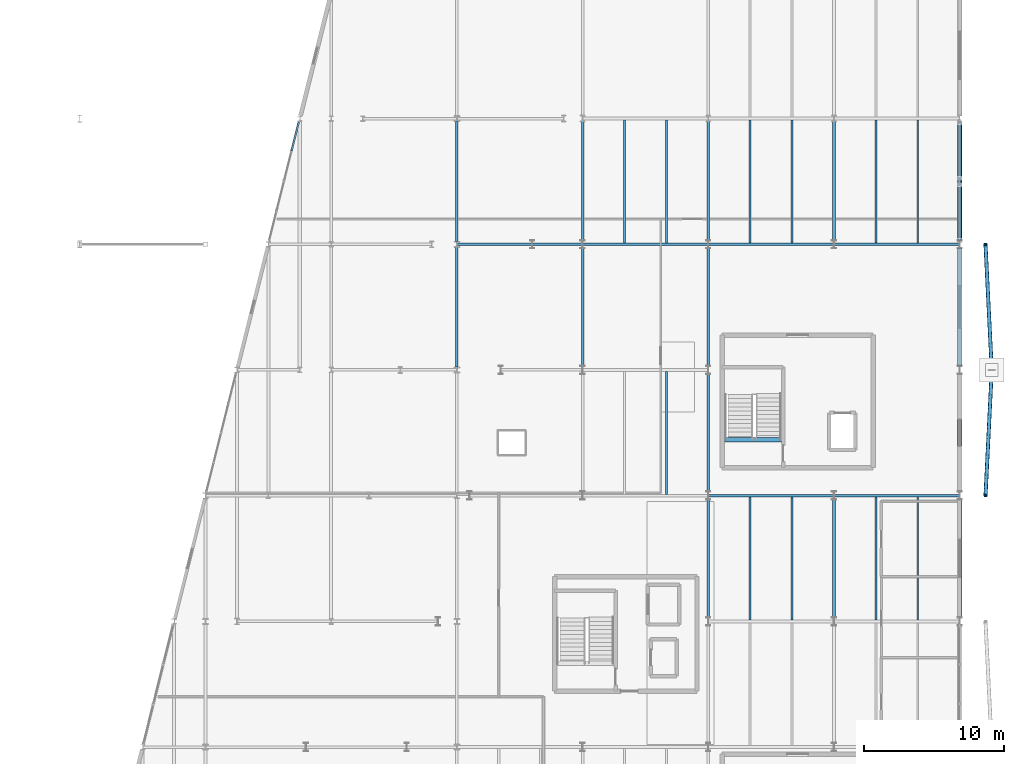
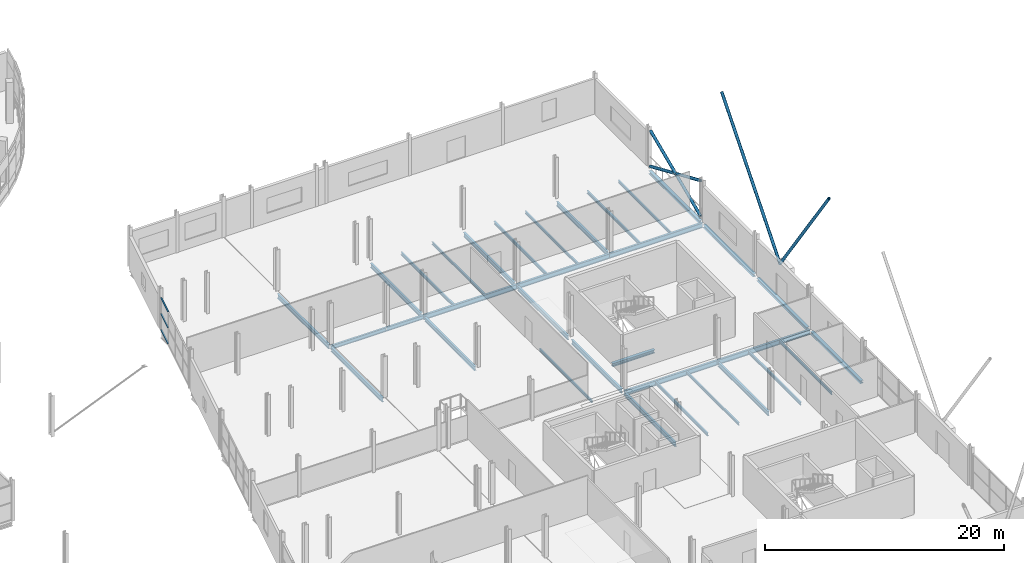
# One storey, part 98 of 140: 33 beams, 8 members, 1 element without a shape of its own.
"""IFC4 building model written with IfcOpenShell, lengths in metres."""

from ifc_helpers import new_model, si_unit, direction, frame, origin, origin_2d, place, context, subcontext, project, spatial, hollow_rectangle, hollow_circle, i_section, extrude, material, layer, layer_set, material_profile, profile_set, type_object, element, aggregate, save


model = new_model("IFC4")

# Units and contexts
model_context = context("Model", 3, precision=1e-05, world=origin(), true_north=direction((0.0, 1.0)))
body_context = subcontext(model_context, "Body", "Model", "MODEL_VIEW")
ifc_project = project(units=[si_unit("LENGTHUNIT", "METRE"), si_unit("AREAUNIT", "SQUARE_METRE"), si_unit("VOLUMEUNIT", "CUBIC_METRE"), si_unit("PLANEANGLEUNIT", "RADIAN"), si_unit("MASSUNIT", "GRAM", prefix="KILO")], contexts=[model_context])

# Site, building, storey
site_placement = place(None, origin())
site = spatial("IfcSite", under=ifc_project, at=site_placement, CompositionType="ELEMENT")
building_placement = place(site_placement, origin())
building = spatial("IfcBuilding", under=site, at=building_placement, Name="Deido Ridge Mobility Hub", CompositionType="ELEMENT")
storey_placement = place(building_placement, origin())
storey = spatial("IfcBuildingStorey", under=building, at=storey_placement, Name="L00", CompositionType="ELEMENT", Elevation=0.0)

# Beams
ifc_material_1 = material(Name="Steel S355J2 EN 10025-2", Category="steel")
ifc_material_profile_1 = material_profile(ifc_material_1, i_section(OverallWidth=0.300048828125, OverallDepth=0.330078125, WebThickness=0.009521484375, FlangeThickness=0.0166015625, FilletRadius=0.027099609375, at=origin_2d()), Name="HEA 340")
ifc_profile_set_1 = profile_set([ifc_material_profile_1], Name="Steel S355J2 EN 10025-2")
beam_type_1 = type_object("IfcBeamType", Name="BM-HEA340", PredefinedType="BEAM", material=ifc_profile_set_1)
beam_1_placement = place(storey_placement, frame((163.16259765625, 40.0, -0.425048828125), z_axis=(1.0, 0.0, 0.0), x_axis=(0.0, 1.0, 0.0)))
element("IfcBeam", 1, at=beam_1_placement, inside=storey, type_object=beam_type_1, Name="C2 stair landing trimmer beam B6", PredefinedType="BEAM", context=body_context, shape_type="SweptSolid", body=[
    extrude(i_section(OverallWidth=0.300048828125, OverallDepth=0.330078125, WebThickness=0.009521484375, FlangeThickness=0.0166015625, FilletRadius=0.027099609375, at=origin_2d()), origin(), (0.0, 0.0, 1.0), 4.072509765625),
])
ifc_material_profile_2 = material_profile(ifc_material_1, i_section(OverallWidth=0.179931640625, OverallDepth=0.39990234375, WebThickness=0.008544921875, FlangeThickness=0.013427734375, FilletRadius=0.02099609375, at=origin_2d()), Name="IPE 400")
ifc_profile_set_2 = profile_set([ifc_material_profile_2], Name="Steel S355J2 EN 10025-2")
beam_type_2 = type_object("IfcBeamType", Name="BM-IPE400", PredefinedType="BEAM", material=ifc_profile_set_2)
beam_2_placement = place(storey_placement, frame((144.0087890625, 54.0, -0.4599609375), z_axis=(1.0, 0.0, 0.0), x_axis=(0.0, 1.0, 0.0)))
element("IfcBeam", 2, at=beam_2_placement, inside=storey, type_object=beam_type_2, Name="Floor beam B5", PredefinedType="BEAM", context=body_context, shape_type="SweptSolid", body=[
    extrude(i_section(OverallWidth=0.179931640625, OverallDepth=0.39990234375, WebThickness=0.008544921875, FlangeThickness=0.013427734375, FilletRadius=0.02099609375, at=origin_2d()), origin(), (0.0, 0.0, 1.0), 5.383544921875),
])
beam_3_placement = place(storey_placement, frame((149.40771484375, 54.0, -0.4599609375), z_axis=(1.0, 0.0, 0.0), x_axis=(0.0, 1.0, 0.0)))
element("IfcBeam", 3, at=beam_3_placement, inside=storey, type_object=beam_type_2, Name="Floor beam B5", PredefinedType="BEAM", context=body_context, shape_type="SweptSolid", body=[
    extrude(i_section(OverallWidth=0.179931640625, OverallDepth=0.39990234375, WebThickness=0.008544921875, FlangeThickness=0.013427734375, FilletRadius=0.02099609375, at=origin_2d()), origin(), (0.0, 0.0, 1.0), 3.58447265625),
])
ifc_material_profile_3 = material_profile(ifc_material_1, i_section(OverallWidth=0.18994140625, OverallDepth=0.449951171875, WebThickness=0.009521484375, FlangeThickness=0.0146484375, FilletRadius=0.02099609375, at=origin_2d()), Name="IPE 450")
ifc_profile_set_3 = profile_set([ifc_material_profile_3], Name="Steel S355J2 EN 10025-2")
beam_type_3 = type_object("IfcBeamType", Name="BM-IPE450", PredefinedType="BEAM", material=ifc_profile_set_3)
for number, where, z_axis, x_axis, name in (
    (4, (144.0, 45.196533203125, -0.485107421875), (0.0, 1.0, 0.0), (-1.0, 0.0, 0.0), "Floor beam B4"),
    (5, (144.0, 54.196533203125, -0.485107421875), (0.0, 1.0, 0.0), (-1.0, 0.0, 0.0), "Floor beam B4"),
):
    element("IfcBeam", number, at=place(storey_placement, frame(where, z_axis=z_axis, x_axis=x_axis)), inside=storey, type_object=beam_type_3, Name=name, PredefinedType="BEAM", context=body_context, shape_type="SweptSolid", body=[
        extrude(i_section(OverallWidth=0.18994140625, OverallDepth=0.449951171875, WebThickness=0.009521484375, FlangeThickness=0.0146484375, FilletRadius=0.02099609375, at=origin_2d()), origin(), (0.0, 0.0, 1.0), 8.60693359375),
    ])
beam_4_placement = place(storey_placement, frame((153.0, 45.300048828125, -0.485107421875), z_axis=(0.0, 1.0, 0.0), x_axis=(-1.0, 0.0, 0.0)))
element("IfcBeam", 6, at=beam_4_placement, inside=storey, type_object=beam_type_3, Name="Floor beam B4", PredefinedType="BEAM", context=body_context, shape_type="SweptSolid", body=[
    extrude(i_section(OverallWidth=0.18994140625, OverallDepth=0.449951171875, WebThickness=0.009521484375, FlangeThickness=0.0146484375, FilletRadius=0.02099609375, at=origin_2d()), origin(), (0.0, 0.0, 1.0), 8.39990234375),
])
beam_5_placement = place(storey_placement, frame((153.0, 54.300048828125, -0.485107421875), z_axis=(0.0, 1.0, 0.0), x_axis=(-1.0, 0.0, 0.0)))
element("IfcBeam", 7, at=beam_5_placement, inside=storey, type_object=beam_type_3, Name="Floor beam B4", PredefinedType="BEAM", context=body_context, shape_type="SweptSolid", body=[
    extrude(i_section(OverallWidth=0.18994140625, OverallDepth=0.449951171875, WebThickness=0.009521484375, FlangeThickness=0.0146484375, FilletRadius=0.02099609375, at=origin_2d()), origin(), (0.0, 0.0, 1.0), 8.474853515625),
])
for number, where, z_axis, x_axis, name in (
    (8, (162.0, 27.300048828125, -0.485107421875), (0.0, 1.0, 0.0), (-1.0, 0.0, 0.0), "Floor beam B4"),
    (9, (162.0, 36.300048828125, -0.485107421875), (0.0, 1.0, 0.0), (-1.0, 0.0, 0.0), "Floor beam B4"),
    (10, (162.0, 45.300048828125, -0.485107421875), (0.0, 1.0, 0.0), (-1.0, 0.0, 0.0), "Floor beam B4"),
):
    element("IfcBeam", number, at=place(storey_placement, frame(where, z_axis=z_axis, x_axis=x_axis)), inside=storey, type_object=beam_type_3, Name=name, PredefinedType="BEAM", context=body_context, shape_type="SweptSolid", body=[
        extrude(i_section(OverallWidth=0.18994140625, OverallDepth=0.449951171875, WebThickness=0.009521484375, FlangeThickness=0.0146484375, FilletRadius=0.02099609375, at=origin_2d()), origin(), (0.0, 0.0, 1.0), 8.39990234375),
    ])
beam_6_placement = place(storey_placement, frame((162.0, 54.300048828125, -0.485107421875), z_axis=(0.0, 1.0, 0.0), x_axis=(-1.0, 0.0, 0.0)))
element("IfcBeam", 11, at=beam_6_placement, inside=storey, type_object=beam_type_3, Name="Floor beam B4", PredefinedType="BEAM", context=body_context, shape_type="SweptSolid", body=[
    extrude(i_section(OverallWidth=0.18994140625, OverallDepth=0.449951171875, WebThickness=0.009521484375, FlangeThickness=0.0146484375, FilletRadius=0.02099609375, at=origin_2d()), origin(), (0.0, 0.0, 1.0), 8.474853515625),
])
beam_7_placement = place(storey_placement, frame((171.0, 27.300048828125, -0.485107421875), z_axis=(0.0, 1.0, 0.0), x_axis=(-1.0, 0.0, 0.0)))
element("IfcBeam", 12, at=beam_7_placement, inside=storey, type_object=beam_type_3, Name="Floor beam B4", PredefinedType="BEAM", context=body_context, shape_type="SweptSolid", body=[
    extrude(i_section(OverallWidth=0.18994140625, OverallDepth=0.449951171875, WebThickness=0.009521484375, FlangeThickness=0.0146484375, FilletRadius=0.02099609375, at=origin_2d()), origin(), (0.0, 0.0, 1.0), 8.39990234375),
])
beam_8_placement = place(storey_placement, frame((171.0, 54.300048828125, -0.485107421875), z_axis=(0.0, 1.0, 0.0), x_axis=(-1.0, 0.0, 0.0)))
element("IfcBeam", 13, at=beam_8_placement, inside=storey, type_object=beam_type_3, Name="Floor beam B4", PredefinedType="BEAM", context=body_context, shape_type="SweptSolid", body=[
    extrude(i_section(OverallWidth=0.18994140625, OverallDepth=0.449951171875, WebThickness=0.009521484375, FlangeThickness=0.0146484375, FilletRadius=0.02099609375, at=origin_2d()), origin(), (0.0, 0.0, 1.0), 8.474853515625),
])
ifc_material_profile_4 = material_profile(ifc_material_1, i_section(OverallWidth=0.199951171875, OverallDepth=0.5, WebThickness=0.01025390625, FlangeThickness=0.01611328125, FilletRadius=0.02099609375, at=origin_2d()), Name="IPE 500")
ifc_profile_set_4 = profile_set([ifc_material_profile_4], Name="Steel S355J2 EN 10025-2")
beam_type_4 = type_object("IfcBeamType", Name="BM-IPE500", PredefinedType="BEAM", material=ifc_profile_set_4)
for number, where, z_axis, x_axis, name in (
    (14, (162.0078125, 36.0, -0.510009765625), (1.0, 0.0, 0.0), (0.0, 1.0, 0.0), "Floor beam B3"),
    (15, (171.0078125, 36.0, -0.510009765625), (1.0, 0.0, 0.0), (0.0, 1.0, 0.0), "Floor beam B3"),
    (16, (153.0078125, 54.0, -0.510009765625), (1.0, 0.0, 0.0), (0.0, 1.0, 0.0), "Floor beam B3"),
    (17, (162.0078125, 54.0, -0.510009765625), (1.0, 0.0, 0.0), (0.0, 1.0, 0.0), "Floor beam B3"),
    (18, (171.0078125, 54.0, -0.510009765625), (1.0, 0.0, 0.0), (0.0, 1.0, 0.0), "Floor beam B3"),
):
    element("IfcBeam", number, at=place(storey_placement, frame(where, z_axis=z_axis, x_axis=x_axis)), inside=storey, type_object=beam_type_4, Name=name, PredefinedType="BEAM", context=body_context, shape_type="SweptSolid", body=[
        extrude(i_section(OverallWidth=0.199951171875, OverallDepth=0.5, WebThickness=0.01025390625, FlangeThickness=0.01611328125, FilletRadius=0.02099609375, at=origin_2d()), origin(), (0.0, 0.0, 1.0), 8.984375),
    ])
ifc_material_profile_5 = material_profile(ifc_material_1, i_section(OverallWidth=0.135009765625, OverallDepth=0.27001953125, WebThickness=0.006591796875, FlangeThickness=0.01025390625, FilletRadius=0.014892578125, at=origin_2d()), Name="IPE 270")
ifc_profile_set_5 = profile_set([ifc_material_profile_5], Name="Steel S355J2 EN 10025-2")
beam_type_5 = type_object("IfcBeamType", Name="JST-IPE270", PredefinedType="JOIST", material=ifc_profile_set_5)
for number, where, z_axis, x_axis, name in (
    (19, (168.0, 27.10009765625, -0.39501953125), (0.0, 1.0, 0.0), (-1.0, 0.0, 0.0), "Composite joist J4"),
    (20, (177.0, 27.10009765625, -0.39501953125), (0.0, 1.0, 0.0), (-1.0, 0.0, 0.0), "Composite joist J4"),
    (21, (159.0, 36.10009765625, -0.39501953125), (0.0, 1.0, 0.0), (-1.0, 0.0, 0.0), "Composite joist J4"),
    (22, (159.0, 54.10009765625, -0.39501953125), (0.0, 1.0, 0.0), (-1.0, 0.0, 0.0), "Composite joist J4"),
    (23, (168.0, 54.10009765625, -0.39501953125), (0.0, 1.0, 0.0), (-1.0, 0.0, 0.0), "Composite joist J4"),
    (24, (177.0, 54.10009765625, -0.39501953125), (0.0, 1.0, 0.0), (-1.0, 0.0, 0.0), "Composite joist J4"),
):
    element("IfcBeam", number, at=place(storey_placement, frame(where, z_axis=z_axis, x_axis=x_axis)), inside=storey, type_object=beam_type_5, Name=name, PredefinedType="JOIST", context=body_context, shape_type="SweptSolid", body=[
        extrude(i_section(OverallWidth=0.135009765625, OverallDepth=0.27001953125, WebThickness=0.006591796875, FlangeThickness=0.01025390625, FilletRadius=0.014892578125, at=origin_2d()), origin(), (0.0, 0.0, 1.0), 8.7998046875),
    ])
ifc_material_profile_6 = material_profile(ifc_material_1, i_section(OverallWidth=0.14990234375, OverallDepth=0.300048828125, WebThickness=0.007080078125, FlangeThickness=0.0107421875, FilletRadius=0.014892578125, at=origin_2d()), Name="IPE 300")
ifc_profile_set_6 = profile_set([ifc_material_profile_6], Name="Steel S355J2 EN 10025-2")
beam_type_6 = type_object("IfcBeamType", Name="JST-IPE300", PredefinedType="JOIST", material=ifc_profile_set_6)
for number, where, z_axis, x_axis, name in (
    (25, (165.0, 27.10009765625, -0.409912109375), (0.0, 1.0, 0.0), (-1.0, 0.0, 0.0), "Composite joist J3"),
    (26, (174.0, 27.10009765625, -0.409912109375), (0.0, 1.0, 0.0), (-1.0, 0.0, 0.0), "Composite joist J3"),
    (27, (156.0, 54.10009765625, -0.409912109375), (0.0, 1.0, 0.0), (-1.0, 0.0, 0.0), "Composite joist J3"),
    (28, (165.0, 54.10009765625, -0.409912109375), (0.0, 1.0, 0.0), (-1.0, 0.0, 0.0), "Composite joist J3"),
    (29, (174.0, 54.10009765625, -0.409912109375), (0.0, 1.0, 0.0), (-1.0, 0.0, 0.0), "Composite joist J3"),
):
    element("IfcBeam", number, at=place(storey_placement, frame(where, z_axis=z_axis, x_axis=x_axis)), inside=storey, type_object=beam_type_6, Name=name, PredefinedType="JOIST", context=body_context, shape_type="SweptSolid", body=[
        extrude(i_section(OverallWidth=0.14990234375, OverallDepth=0.300048828125, WebThickness=0.007080078125, FlangeThickness=0.0107421875, FilletRadius=0.014892578125, at=origin_2d()), origin(), (0.0, 0.0, 1.0), 8.7998046875),
    ])

# Members
ifc_material_2 = material(Name="Steel S355J2H EN 10210-1", Category="steel")
ifc_material_profile_7 = material_profile(ifc_material_2, hollow_circle(Radius=0.136474609375, WallThickness=0.012451171875, at=origin_2d()), Name="CHS 273x12.5")
ifc_profile_set_7 = profile_set([ifc_material_profile_7], Name="Steel S355J2H EN 10210-1")
member_type_1 = type_object("IfcMemberType", Name="MEM-BRC-CHS273", PredefinedType="BRACE", material=ifc_profile_set_7)
member_1_placement = place(storey_placement, frame((180.0, 54.300048828125, 0.179931640625), z_axis=(0.0, 0.91754849034, 0.397623902545), x_axis=(-1.0, 0.0, 0.0)))
element("IfcMember", 30, at=member_1_placement, inside=storey, type_object=member_type_1, Name="Continuous X-brace diagonal BR1", PredefinedType="BRACE", context=body_context, shape_type="SweptSolid", body=[
    extrude(hollow_circle(Radius=0.136474609375, WallThickness=0.012451171875, at=origin_2d()), origin(), (0.0, 0.0, 1.0), 9.15478515625),
])
for number, where, z_axis, x_axis, name in (
    (31, (180.0, 62.699951171875, 0.179931640625), (0.0, -0.917550833654, 0.397618495119), (1.0, 0.0, 0.0), "Split X-brace diagonal segment BR1"),
    (32, (180.0, 58.27978515625, 2.095458984375), (0.0, -0.917550833654, 0.397618495119), (1.0, 0.0, 0.0), "Split X-brace diagonal segment BR1"),
):
    element("IfcMember", number, at=place(storey_placement, frame(where, z_axis=z_axis, x_axis=x_axis)), inside=storey, type_object=member_type_1, Name=name, PredefinedType="BRACE", context=body_context, shape_type="SweptSolid", body=[
        extrude(hollow_circle(Radius=0.136474609375, WallThickness=0.012451171875, at=origin_2d()), origin(), (0.0, 0.0, 1.0), 4.33740234375),
    ])
for number, where, z_axis, x_axis, name in (
    (33, (182.300048828125, 45.0, 0.1650390625), (-0.029533007988, -0.59072425745, 0.806332842627), (0.998752609117, -0.049932211876, 0.0), "Deconstructivist exoskeleton raked V-strut BR1"),
    (34, (182.300048828125, 45.0, 0.1650390625), (-0.029533007988, 0.59072425745, 0.806332842627), (-0.998752609117, -0.049932211876, 0.0), "Deconstructivist exoskeleton raked V-strut BR1"),
):
    element("IfcMember", number, at=place(storey_placement, frame(where, z_axis=z_axis, x_axis=x_axis)), inside=storey, type_object=member_type_1, Name=name, PredefinedType="BRACE", context=body_context, shape_type="SweptSolid", body=[
        extrude(hollow_circle(Radius=0.136474609375, WallThickness=0.012451171875, at=origin_2d()), origin(), (0.0, 0.0, 1.0), 15.235595703125),
    ])

# Curtain wall, members
ifc_material_3 = material(Name="Anodised aluminium EN AW-6063 T6", Category="aluminium")
ifc_layer = layer(ifc_material_3, 0.2099609375, Name="Anodised aluminium EN AW-6063 T6")
ifc_layer_set = layer_set([ifc_layer], Name="Anodised aluminium EN AW-6063 T6")
curtain_wall_type = type_object("IfcCurtainWallType", Name="CW-UF-4", PredefinedType="USERDEFINED", material=ifc_layer_set)
curtain_wall_placement = place(storey_placement, origin())
curtain_wall = element("IfcCurtainWall", 35, at=curtain_wall_placement, inside=storey, type_object=curtain_wall_type, Name="Unitised curtain wall CW4", ObjectType="UNITISED FACADE", PredefinedType="USERDEFINED")
ifc_material_profile_8 = material_profile(ifc_material_3, hollow_rectangle(XDim=0.125, YDim=0.06005859375, WallThickness=0.00390625, at=origin_2d()), Name="RHS 125x60x4")
ifc_profile_set_8 = profile_set([ifc_material_profile_8], Name="Anodised aluminium EN AW-6063 T6")
member_type_2 = type_object("IfcMemberType", Name="MEM-TRN-125X60", PredefinedType="USERDEFINED", material=ifc_profile_set_8)
member_2_placement = place(storey_placement, frame((132.169189453125, 60.6767578125, 0.030029296875), z_axis=(0.242562674028, 0.970135737497, 0.0), x_axis=(-0.970135737497, 0.242562674028, 0.0)))
member_2 = element("IfcMember", 36, at=member_2_placement, type_object=member_type_2, Name="CW4 transom 4.1", ObjectType="TRANSOM", PredefinedType="USERDEFINED", context=body_context, shape_type="SweptSolid", body=[
    extrude(hollow_rectangle(XDim=0.125, YDim=0.06005859375, WallThickness=0.00390625, at=origin_2d()), origin(), (0.0, 0.0, 1.0), 2.123779296875),
])
member_3_placement = place(storey_placement, frame((132.169189453125, 60.6767578125, 1.66259765625), z_axis=(0.242562674028, 0.970135737497, 0.0), x_axis=(-0.970135737497, 0.242562674028, 0.0)))
member_3 = element("IfcMember", 37, at=member_3_placement, type_object=member_type_2, Name="CW4 transom 4.2", ObjectType="TRANSOM", PredefinedType="USERDEFINED", context=body_context, shape_type="SweptSolid", body=[
    extrude(hollow_rectangle(XDim=0.125, YDim=0.06005859375, WallThickness=0.00390625, at=origin_2d()), origin(), (0.0, 0.0, 1.0), 2.123779296875),
])
member_4_placement = place(storey_placement, frame((132.169189453125, 60.6767578125, 3.294921875), z_axis=(0.242562674028, 0.970135737497, 0.0), x_axis=(-0.970135737497, 0.242562674028, 0.0)))
member_4 = element("IfcMember", 38, at=member_4_placement, type_object=member_type_2, Name="CW4 transom 4.3", ObjectType="TRANSOM", PredefinedType="USERDEFINED", context=body_context, shape_type="SweptSolid", body=[
    extrude(hollow_rectangle(XDim=0.125, YDim=0.06005859375, WallThickness=0.00390625, at=origin_2d()), origin(), (0.0, 0.0, 1.0), 2.123779296875),
])
aggregate(curtain_wall, [member_2, member_3, member_4])

# Beams
ifc_material_profile_9 = material_profile(ifc_material_1, i_section(OverallWidth=0.300048828125, OverallDepth=0.300048828125, WebThickness=0.010986328125, FlangeThickness=0.01904296875, FilletRadius=0.027099609375, at=origin_2d()), Name="HEB 300")
ifc_profile_set_9 = profile_set([ifc_material_profile_9], Name="Steel S355J2 EN 10025-2")
beam_type_7 = type_object("IfcBeamType", Name="SPD-HEB300", PredefinedType="SPANDREL", material=ifc_profile_set_9)
for number, where, z_axis, x_axis, name in (
    (39, (180.0, 27.300048828125, -0.409912109375), (0.0, 1.0, 0.0), (-1.0, 0.0, 0.0), "Floor beam SP1"),
    (40, (180.0, 36.300048828125, -0.409912109375), (0.0, 1.0, 0.0), (-1.0, 0.0, 0.0), "Floor beam SP1"),
    (41, (180.0, 45.300048828125, -0.409912109375), (0.0, 1.0, 0.0), (-1.0, 0.0, 0.0), "Floor beam SP1"),
):
    element("IfcBeam", number, at=place(storey_placement, frame(where, z_axis=z_axis, x_axis=x_axis)), inside=storey, type_object=beam_type_7, Name=name, PredefinedType="SPANDREL", context=body_context, shape_type="SweptSolid", body=[
        extrude(i_section(OverallWidth=0.300048828125, OverallDepth=0.300048828125, WebThickness=0.010986328125, FlangeThickness=0.01904296875, FilletRadius=0.027099609375, at=origin_2d()), origin(), (0.0, 0.0, 1.0), 8.39990234375),
    ])
beam_9_placement = place(storey_placement, frame((180.0, 54.300048828125, -0.409912109375), z_axis=(0.0, 1.0, 0.0), x_axis=(-1.0, 0.0, 0.0)))
element("IfcBeam", 42, at=beam_9_placement, inside=storey, type_object=beam_type_7, Name="Floor beam SP1", PredefinedType="SPANDREL", context=body_context, shape_type="SweptSolid", body=[
    extrude(i_section(OverallWidth=0.300048828125, OverallDepth=0.300048828125, WebThickness=0.010986328125, FlangeThickness=0.01904296875, FilletRadius=0.027099609375, at=origin_2d()), origin(), (0.0, 0.0, 1.0), 8.474853515625),
])

save(model, "model.ifc")
